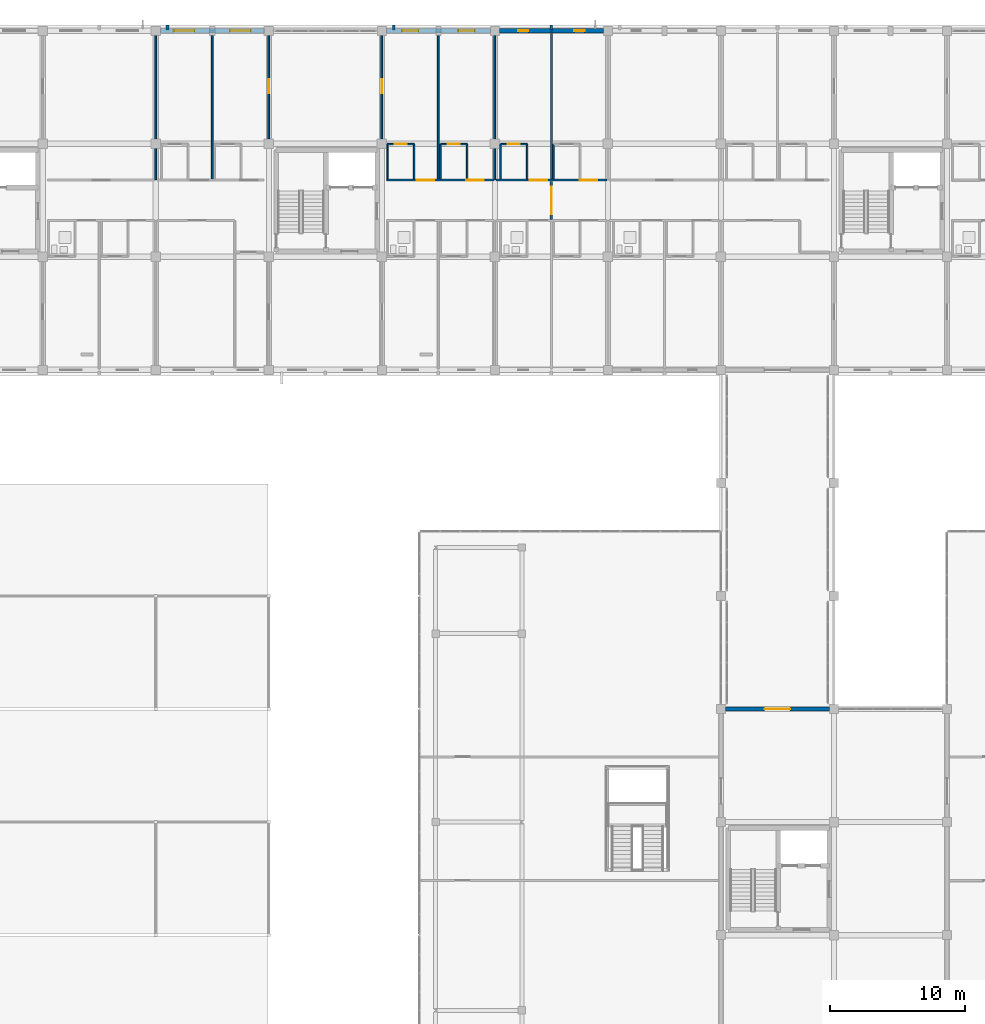
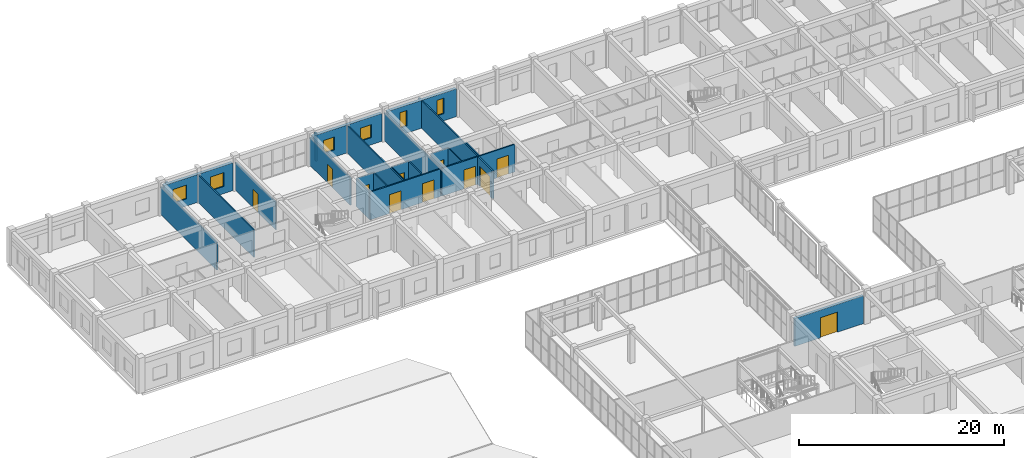
# One storey, part 118 of 140: 27 walls, 11 doors, 6 windows, 17 openings.
"""IFC4 building model written with IfcOpenShell, lengths in metres."""

from ifc_helpers import new_model, si_unit, direction, frame, frame_2d, origin, place, context, subcontext, project, spatial, rectangle, extrude, material, layer, layer_set, type_object, element, fill, save


model = new_model("IFC4")

# Units and contexts
model_context = context("Model", 3, precision=1e-05, world=origin(), true_north=direction((0.0, 1.0)))
body_context = subcontext(model_context, "Body", "Model", "MODEL_VIEW")
ifc_project = project(units=[si_unit("LENGTHUNIT", "METRE"), si_unit("AREAUNIT", "SQUARE_METRE"), si_unit("VOLUMEUNIT", "CUBIC_METRE"), si_unit("PLANEANGLEUNIT", "RADIAN"), si_unit("MASSUNIT", "GRAM", prefix="KILO")], contexts=[model_context])

# Site, building, storey
site_placement = place(None, origin())
site = spatial("IfcSite", under=ifc_project, at=site_placement, CompositionType="ELEMENT")
building_placement = place(site_placement, origin())
building = spatial("IfcBuilding", under=site, at=building_placement, Name="Trelvath General Hospital", CompositionType="ELEMENT")
storey_placement = place(building_placement, frame((0.0, 0.0, 16.199951171875)))
storey = spatial("IfcBuildingStorey", under=building, at=storey_placement, Name="L04", CompositionType="ELEMENT", Elevation=16.199951171875)

# Walls
ifc_material_1 = material(Name="Precast concrete C40/50", Category="concrete")
ifc_layer_1 = layer(ifc_material_1, 0.199951171875)
ifc_layer_set_1 = layer_set([ifc_layer_1], Name="Precast concrete C40/50")
wall_type_1 = type_object("IfcWallType", Name="BriseSoleilRib 200", PredefinedType="ELEMENTEDWALL", material=ifc_layer_set_1)
for number, where, z_axis, x_axis, name in (
    (1, (34.47607421875, 117.675048828125, 0.0), (0.0, 0.0, 1.0), (0.0, 1.0, 0.0), "Precast Concrete Brise-Soleil Rib Fin L04-319"),
    (2, (51.276123046875, 117.675048828125, 0.0), (0.0, 0.0, 1.0), (0.0, 1.0, 0.0), "Precast Concrete Brise-Soleil Rib Fin L04-325"),
    (3, (63.0, 117.675048828125, 0.0), (0.0, 0.0, 1.0), (0.0, 1.0, 0.0), "Precast Concrete Brise-Soleil Rib Fin L04-329"),
):
    element("IfcWall", number, at=place(storey_placement, frame(where, z_axis=z_axis, x_axis=x_axis)), inside=storey, type_object=wall_type_1, Name=name, PredefinedType="ELEMENTEDWALL", context=body_context, shape_type="SweptSolid", body=[
        extrude(rectangle(XDim=0.33984375, YDim=0.199951171875, at=frame_2d((0.169921875, 0.0))), origin(), (0.0, 0.0, 1.0), 3.300048828125),
    ])

# Wall, openings, doors
ifc_material_2 = material(Name="Gypsum acoustic steel-stud partition", Category="steel")
ifc_layer_2 = layer(ifc_material_2, 0.14990234375)
ifc_layer_set_2 = layer_set([ifc_layer_2], Name="Gypsum acoustic steel-stud partition")
wall_type_2 = type_object("IfcWallType", Name="ClinicalPartition 150", PredefinedType="PARTITIONING", material=ifc_layer_set_2)
wall_1_placement = place(storey_placement, frame((58.719970703125, 106.5, 0.0), z_axis=(0.0, 0.0, 1.0), x_axis=(-1.0, 0.0, 0.0)))
wall_1 = element("IfcWall", 4, at=wall_1_placement, inside=storey, type_object=wall_type_2, Name="Corridor Partition N L04-1583", PredefinedType="PARTITIONING", context=body_context, shape_type="SweptSolid", body=[
    extrude(rectangle(XDim=7.9599609375, YDim=0.14990234375, at=frame_2d((3.97998046875, 0.0))), origin(), (0.0, 0.0, 1.0), 3.300048828125),
])
opening_1_placement = place(wall_1_placement, frame((0.72998046875, 0.0, 0.0)))
opening_1 = element("IfcOpeningElement", 5, at=opening_1_placement, cuts=wall_1, Name="Opening D-4-1083", PredefinedType="OPENING", context=body_context, shape_type="SweptSolid", body=[
    extrude(rectangle(XDim=1.300048828125, YDim=2.25, at=frame_2d((0.64990234375, 1.125))), frame((0.0, 0.0849609375, 0.0), z_axis=(0.0, -1.0, 0.0), x_axis=(1.0, 0.0, 0.0)), (0.0, 0.0, 1.0), 0.169921875),
])
opening_2_placement = place(wall_1_placement, frame((4.429931640625, 0.0, 0.0)))
opening_2 = element("IfcOpeningElement", 6, at=opening_2_placement, cuts=wall_1, Name="Opening D-4-1084", PredefinedType="OPENING", context=body_context, shape_type="SweptSolid", body=[
    extrude(rectangle(XDim=1.300048828125, YDim=2.25, at=frame_2d((0.64990234375, 1.125))), frame((0.0, 0.0849609375, 0.0), z_axis=(0.0, -1.0, 0.0), x_axis=(1.0, 0.0, 0.0)), (0.0, 0.0, 1.0), 0.169921875),
])
ifc_material_3 = material(Name="Hospital bed-leaf timber door", Category="wood")
door_type_1 = type_object("IfcDoorType", Name="Door PatientBed 1300x2250", OperationType="NOTDEFINED", PredefinedType="DOOR", material=ifc_material_3)
door_1_placement = place(opening_1_placement, origin())
door_1 = element("IfcDoor", 7, at=door_1_placement, inside=storey, type_object=door_type_1, Name="Patient Room Door N L04-1083", OperationType="SINGLE_SWING_RIGHT", OverallHeight=2.25, OverallWidth=1.300048828125, PredefinedType="DOOR", context=body_context, shape_type="SweptSolid", body=[
    extrude(rectangle(XDim=1.300048828125, YDim=2.25, at=frame_2d((0.64990234375, 1.125))), frame((0.0, 0.02490234375, 0.0), z_axis=(0.0, -1.0, 0.0), x_axis=(1.0, 0.0, 0.0)), (0.0, 0.0, 1.0), 0.050048828125),
])
fill(opening_1, door_1)
door_2_placement = place(opening_2_placement, origin())
door_2 = element("IfcDoor", 8, at=door_2_placement, inside=storey, type_object=door_type_1, Name="Patient Room Door N L04-1084", OperationType="SINGLE_SWING_RIGHT", OverallHeight=2.25, OverallWidth=1.300048828125, PredefinedType="DOOR", context=body_context, shape_type="SweptSolid", body=[
    extrude(rectangle(XDim=1.300048828125, YDim=2.25, at=frame_2d((0.64990234375, 1.125))), frame((0.0, 0.02490234375, 0.0), z_axis=(0.0, -1.0, 0.0), x_axis=(1.0, 0.0, 0.0)), (0.0, 0.0, 1.0), 0.050048828125),
])
fill(opening_2, door_2)

wall_2_placement = place(storey_placement, frame((67.1201171875, 106.5, 0.0), z_axis=(0.0, 0.0, 1.0), x_axis=(-1.0, 0.0, 0.0)))
wall_2 = element("IfcWall", 9, at=wall_2_placement, inside=storey, type_object=wall_type_2, Name="Corridor Partition N L04-1601", PredefinedType="PARTITIONING", context=body_context, shape_type="SweptSolid", body=[
    extrude(rectangle(XDim=8.240234375, YDim=0.14990234375, at=frame_2d((4.1201171875, 0.0))), origin(), (0.0, 0.0, 1.0), 3.300048828125),
])
opening_3_placement = place(wall_2_placement, frame((0.72998046875, 0.0, 0.0)))
opening_3 = element("IfcOpeningElement", 10, at=opening_3_placement, cuts=wall_2, Name="Opening D-4-1091", PredefinedType="OPENING", context=body_context, shape_type="SweptSolid", body=[
    extrude(rectangle(XDim=1.300048828125, YDim=2.25, at=frame_2d((0.64990234375, 1.125))), frame((0.0, 0.0849609375, 0.0), z_axis=(0.0, -1.0, 0.0), x_axis=(1.0, 0.0, 0.0)), (0.0, 0.0, 1.0), 0.169921875),
])
opening_4_placement = place(wall_2_placement, frame((4.429931640625, 0.0, 0.0)))
opening_4 = element("IfcOpeningElement", 11, at=opening_4_placement, cuts=wall_2, Name="Opening D-4-1092", PredefinedType="OPENING", context=body_context, shape_type="SweptSolid", body=[
    extrude(rectangle(XDim=1.300048828125, YDim=2.25, at=frame_2d((0.64990234375, 1.125))), frame((0.0, 0.0849609375, 0.0), z_axis=(0.0, -1.0, 0.0), x_axis=(1.0, 0.0, 0.0)), (0.0, 0.0, 1.0), 0.169921875),
])
door_3_placement = place(opening_3_placement, origin())
door_3 = element("IfcDoor", 12, at=door_3_placement, inside=storey, type_object=door_type_1, Name="Patient Room Door N L04-1091", OperationType="SINGLE_SWING_LEFT", OverallHeight=2.25, OverallWidth=1.300048828125, PredefinedType="DOOR", context=body_context, shape_type="SweptSolid", body=[
    extrude(rectangle(XDim=1.300048828125, YDim=2.25, at=frame_2d((0.64990234375, 1.125))), frame((0.0, 0.02490234375, 0.0), z_axis=(0.0, -1.0, 0.0), x_axis=(1.0, 0.0, 0.0)), (0.0, 0.0, 1.0), 0.050048828125),
])
fill(opening_3, door_3)
door_4_placement = place(opening_4_placement, origin())
door_4 = element("IfcDoor", 13, at=door_4_placement, inside=storey, type_object=door_type_1, Name="Patient Room Door N L04-1092", OperationType="SINGLE_SWING_LEFT", OverallHeight=2.25, OverallWidth=1.300048828125, PredefinedType="DOOR", context=body_context, shape_type="SweptSolid", body=[
    extrude(rectangle(XDim=1.300048828125, YDim=2.25, at=frame_2d((0.64990234375, 1.125))), frame((0.0, 0.02490234375, 0.0), z_axis=(0.0, -1.0, 0.0), x_axis=(1.0, 0.0, 0.0)), (0.0, 0.0, 1.0), 0.050048828125),
])
fill(opening_4, door_4)

# Walls
ifc_material_4 = material(Name="Moisture-resistant tile partition")
ifc_layer_3 = layer(ifc_material_4, 0.110107421875)
ifc_layer_set_3 = layer_set([ifc_layer_3], Name="Moisture-resistant tile partition")
wall_type_3 = type_object("IfcWallType", Name="EnSuiteWetWall 110", PredefinedType="PARTITIONING", material=ifc_layer_set_3)
for number, where, z_axis, x_axis, name in (
    (14, (50.820068359375, 106.570068359375, 0.0), (0.0, 0.0, 1.0), (0.0, 1.0, 0.0), "En-Suite W Wall N L04-1585"),
    (15, (52.800048828125, 106.570068359375, 0.0), (0.0, 0.0, 1.0), (0.0, 1.0, 0.0), "En-Suite E Wall N L04-1586"),
):
    element("IfcWall", number, at=place(storey_placement, frame(where, z_axis=z_axis, x_axis=x_axis)), inside=storey, type_object=wall_type_3, Name=name, PredefinedType="PARTITIONING", context=body_context, shape_type="SweptSolid", body=[
        extrude(rectangle(XDim=2.60986328125, YDim=0.110107421875, at=frame_2d((1.304931640625, 0.0))), origin(), (0.0, 0.0, 1.0), 3.300048828125),
    ])

# Wall, opening, door
wall_3_placement = place(storey_placement, frame((50.820068359375, 109.179931640625, 0.0), z_axis=(0.0, 0.0, 1.0), x_axis=(1.0, 0.0, 0.0)))
wall_3 = element("IfcWall", 16, at=wall_3_placement, inside=storey, type_object=wall_type_3, Name="En-Suite Bathroom N Partition L04-1587", PredefinedType="PARTITIONING", context=body_context, shape_type="SweptSolid", body=[
    extrude(rectangle(XDim=1.97998046875, YDim=0.110107421875, at=frame_2d((0.989990234375, 0.0))), origin(), (0.0, 0.0, 1.0), 3.300048828125),
])
opening_5_placement = place(wall_3_placement, frame((0.5400390625, 0.0, 0.0)))
opening_5 = element("IfcOpeningElement", 17, at=opening_5_placement, cuts=wall_3, Name="Opening D-4-1085", PredefinedType="OPENING", context=body_context, shape_type="SweptSolid", body=[
    extrude(rectangle(XDim=0.89990234375, YDim=2.10009765625, at=frame_2d((0.449951171875, 1.050048828125))), frame((0.0, 0.06494140625, 0.0), z_axis=(0.0, -1.0, 0.0), x_axis=(1.0, 0.0, 0.0)), (0.0, 0.0, 1.0), 0.130126953125),
])
ifc_material_5 = material(Name="Moisture-sealed timber leaf", Category="wood")
door_type_2 = type_object("IfcDoorType", Name="Door EnSuite 900x2100", OperationType="NOTDEFINED", PredefinedType="DOOR", material=ifc_material_5)
door_5_placement = place(opening_5_placement, origin())
door_5 = element("IfcDoor", 18, at=door_5_placement, inside=storey, type_object=door_type_2, Name="En-Suite Bathroom N Door L04-1085", OperationType="SINGLE_SWING_LEFT", OverallHeight=2.10009765625, OverallWidth=0.89990234375, PredefinedType="DOOR", context=body_context, shape_type="SweptSolid", body=[
    extrude(rectangle(XDim=0.89990234375, YDim=2.10009765625, at=frame_2d((0.449951171875, 1.050048828125))), frame((0.0, 0.02490234375, 0.0), z_axis=(0.0, -1.0, 0.0), x_axis=(1.0, 0.0, 0.0)), (0.0, 0.0, 1.0), 0.050048828125),
])
fill(opening_5, door_5)

# Walls
for number, where, z_axis, x_axis, name in (
    (19, (54.760009765625, 106.570068359375, 0.0), (0.0, 0.0, 1.0), (0.0, 1.0, 0.0), "En-Suite W Wall N L04-1588"),
    (20, (56.739990234375, 106.570068359375, 0.0), (0.0, 0.0, 1.0), (0.0, 1.0, 0.0), "En-Suite E Wall N L04-1589"),
):
    element("IfcWall", number, at=place(storey_placement, frame(where, z_axis=z_axis, x_axis=x_axis)), inside=storey, type_object=wall_type_3, Name=name, PredefinedType="PARTITIONING", context=body_context, shape_type="SweptSolid", body=[
        extrude(rectangle(XDim=2.60986328125, YDim=0.110107421875, at=frame_2d((1.304931640625, 0.0))), origin(), (0.0, 0.0, 1.0), 3.300048828125),
    ])

# Wall, opening, door
wall_4_placement = place(storey_placement, frame((54.760009765625, 109.179931640625, 0.0), z_axis=(0.0, 0.0, 1.0), x_axis=(1.0, 0.0, 0.0)))
wall_4 = element("IfcWall", 21, at=wall_4_placement, inside=storey, type_object=wall_type_3, Name="En-Suite Bathroom N Partition L04-1590", PredefinedType="PARTITIONING", context=body_context, shape_type="SweptSolid", body=[
    extrude(rectangle(XDim=1.97998046875, YDim=0.110107421875, at=frame_2d((0.989990234375, 0.0))), origin(), (0.0, 0.0, 1.0), 3.300048828125),
])
opening_6_placement = place(wall_4_placement, frame((0.5400390625, 0.0, 0.0)))
opening_6 = element("IfcOpeningElement", 22, at=opening_6_placement, cuts=wall_4, Name="Opening D-4-1086", PredefinedType="OPENING", context=body_context, shape_type="SweptSolid", body=[
    extrude(rectangle(XDim=0.89990234375, YDim=2.10009765625, at=frame_2d((0.449951171875, 1.050048828125))), frame((0.0, 0.06494140625, 0.0), z_axis=(0.0, -1.0, 0.0), x_axis=(1.0, 0.0, 0.0)), (0.0, 0.0, 1.0), 0.130126953125),
])
door_6_placement = place(opening_6_placement, origin())
door_6 = element("IfcDoor", 23, at=door_6_placement, inside=storey, type_object=door_type_2, Name="En-Suite Bathroom N Door L04-1086", OperationType="SINGLE_SWING_RIGHT", OverallHeight=2.10009765625, OverallWidth=0.89990234375, PredefinedType="DOOR", context=body_context, shape_type="SweptSolid", body=[
    extrude(rectangle(XDim=0.89990234375, YDim=2.10009765625, at=frame_2d((0.449951171875, 1.050048828125))), frame((0.0, 0.02490234375, 0.0), z_axis=(0.0, -1.0, 0.0), x_axis=(1.0, 0.0, 0.0)), (0.0, 0.0, 1.0), 0.050048828125),
])
fill(opening_6, door_6)

# Walls
for number, where, z_axis, x_axis, name in (
    (24, (59.219970703125, 106.570068359375, 0.0), (0.0, 0.0, 1.0), (0.0, 1.0, 0.0), "En-Suite W Wall N L04-1603"),
    (25, (61.199951171875, 106.570068359375, 0.0), (0.0, 0.0, 1.0), (0.0, 1.0, 0.0), "En-Suite E Wall N L04-1604"),
):
    element("IfcWall", number, at=place(storey_placement, frame(where, z_axis=z_axis, x_axis=x_axis)), inside=storey, type_object=wall_type_3, Name=name, PredefinedType="PARTITIONING", context=body_context, shape_type="SweptSolid", body=[
        extrude(rectangle(XDim=2.60986328125, YDim=0.110107421875, at=frame_2d((1.304931640625, 0.0))), origin(), (0.0, 0.0, 1.0), 3.300048828125),
    ])

# Wall, opening, door
wall_5_placement = place(storey_placement, frame((59.219970703125, 109.179931640625, 0.0), z_axis=(0.0, 0.0, 1.0), x_axis=(1.0, 0.0, 0.0)))
wall_5 = element("IfcWall", 26, at=wall_5_placement, inside=storey, type_object=wall_type_3, Name="En-Suite Bathroom N Partition L04-1605", PredefinedType="PARTITIONING", context=body_context, shape_type="SweptSolid", body=[
    extrude(rectangle(XDim=1.97998046875, YDim=0.110107421875, at=frame_2d((0.989990234375, 0.0))), origin(), (0.0, 0.0, 1.0), 3.300048828125),
])
opening_7_placement = place(wall_5_placement, frame((0.5400390625, 0.0, 0.0)))
opening_7 = element("IfcOpeningElement", 27, at=opening_7_placement, cuts=wall_5, Name="Opening D-4-1093", PredefinedType="OPENING", context=body_context, shape_type="SweptSolid", body=[
    extrude(rectangle(XDim=0.89990234375, YDim=2.10009765625, at=frame_2d((0.449951171875, 1.050048828125))), frame((0.0, 0.06494140625, 0.0), z_axis=(0.0, -1.0, 0.0), x_axis=(1.0, 0.0, 0.0)), (0.0, 0.0, 1.0), 0.130126953125),
])
door_7_placement = place(opening_7_placement, origin())
door_7 = element("IfcDoor", 28, at=door_7_placement, inside=storey, type_object=door_type_2, Name="En-Suite Bathroom N Door L04-1093", OperationType="SINGLE_SWING_RIGHT", OverallHeight=2.10009765625, OverallWidth=0.89990234375, PredefinedType="DOOR", context=body_context, shape_type="SweptSolid", body=[
    extrude(rectangle(XDim=0.89990234375, YDim=2.10009765625, at=frame_2d((0.449951171875, 1.050048828125))), frame((0.0, 0.02490234375, 0.0), z_axis=(0.0, -1.0, 0.0), x_axis=(1.0, 0.0, 0.0)), (0.0, 0.0, 1.0), 0.050048828125),
])
fill(opening_7, door_7)

# Wall
wall_6_placement = place(storey_placement, frame((63.159912109375, 106.570068359375, 0.0), z_axis=(0.0, 0.0, 1.0), x_axis=(0.0, 1.0, 0.0)))
element("IfcWall", 29, at=wall_6_placement, inside=storey, type_object=wall_type_3, Name="En-Suite W Wall N L04-1606", PredefinedType="PARTITIONING", context=body_context, shape_type="SweptSolid", body=[
    extrude(rectangle(XDim=2.60986328125, YDim=0.110107421875, at=frame_2d((1.304931640625, 0.0))), origin(), (0.0, 0.0, 1.0), 3.300048828125),
])

# Wall, opening, door
ifc_material_6 = material(Name="Concrete C35/45", Category="concrete")
ifc_layer_4 = layer(ifc_material_6, 0.2900390625)
ifc_layer_set_4 = layer_set([ifc_layer_4], Name="Concrete C35/45")
wall_type_4 = type_object("IfcWallType", Name="ExtBushHammeredWall 290", PredefinedType="SOLIDWALL", material=ifc_layer_set_4)
wall_7_placement = place(storey_placement, frame((75.93505859375, 67.199951171875, 0.0), z_axis=(0.0, 0.0, 1.0), x_axis=(1.0, 0.0, 0.0)))
wall_7 = element("IfcWall", 30, at=wall_7_placement, inside=storey, type_object=wall_type_4, Name="Bridge Portal Wall BRG-N-C L04", PredefinedType="SOLIDWALL", context=body_context, shape_type="SweptSolid", body=[
    extrude(rectangle(XDim=7.72998046875, YDim=0.2900390625, at=frame_2d((3.864990234375, 0.0))), origin(), (0.0, 0.0, 1.0), 3.320068359375),
])
opening_8_placement = place(wall_7_placement, frame((2.9150390625, 0.0, 0.0)))
opening_8 = element("IfcOpeningElement", 31, at=opening_8_placement, cuts=wall_7, Name="Opening BP-4-058", PredefinedType="OPENING", context=body_context, shape_type="SweptSolid", body=[
    extrude(rectangle(XDim=1.89990234375, YDim=2.39990234375, at=frame_2d((0.949951171875, 1.199951171875))), frame((0.0, 0.155029296875, 0.0), z_axis=(0.0, -1.0, 0.0), x_axis=(1.0, 0.0, 0.0)), (0.0, 0.0, 1.0), 0.31005859375),
])
ifc_material_7 = material(Name="Thermally broken glazed aluminium pair", Category="aluminium")
door_type_3 = type_object("IfcDoorType", Name="Door BridgeEntry 1900x2400", OperationType="DOUBLE_SWING_LEFT", PredefinedType="DOOR", material=ifc_material_7)
door_8_placement = place(opening_8_placement, origin())
door_8 = element("IfcDoor", 32, at=door_8_placement, inside=storey, type_object=door_type_3, Name="Glazed Bridge Portal Door BRG-N-C L04", OperationType="DOUBLE_SWING_LEFT", OverallHeight=2.39990234375, OverallWidth=1.89990234375, PredefinedType="DOOR", context=body_context, shape_type="SweptSolid", body=[
    extrude(rectangle(XDim=1.89990234375, YDim=2.39990234375, at=frame_2d((0.949951171875, 1.199951171875))), frame((0.0, 0.02490234375, 0.0), z_axis=(0.0, -1.0, 0.0), x_axis=(1.0, 0.0, 0.0)), (0.0, 0.0, 1.0), 0.050048828125),
])
fill(opening_8, door_8)

# Wall, openings, windows
ifc_material_8 = material(Name="Concrete C35/45", Category="concrete")
ifc_layer_5 = layer(ifc_material_8, 0.320068359375)
ifc_layer_set_5 = layer_set([ifc_layer_5], Name="Concrete C35/45")
wall_type_5 = type_object("IfcWallType", Name="ExtThermalWall 320", PredefinedType="SOLIDWALL", material=ifc_layer_set_5)
wall_8_placement = place(storey_placement, frame((33.93505859375, 117.60009765625, 0.0), z_axis=(0.0, 0.0, 1.0), x_axis=(1.0, 0.0, 0.0)))
wall_8 = element("IfcWall", 33, at=wall_8_placement, inside=storey, type_object=wall_type_5, Name="Exterior Concrete Wall L04-437", PredefinedType="SOLIDWALL", context=body_context, shape_type="SweptSolid", body=[
    extrude(rectangle(XDim=7.72998046875, YDim=0.320068359375, at=frame_2d((3.864990234375, 0.0))), origin(), (0.0, 0.0, 1.0), 3.320068359375),
])
opening_9_placement = place(wall_8_placement, frame((1.017822265625, 0.0, 0.85009765625)))
opening_9 = element("IfcOpeningElement", 34, at=opening_9_placement, cuts=wall_8, Name="Opening WN-4-723", PredefinedType="OPENING", context=body_context, shape_type="SweptSolid", body=[
    extrude(rectangle(XDim=1.52001953125, YDim=1.64990234375, at=frame_2d((0.760009765625, 0.824951171875))), frame((0.0, 0.169921875, 0.0), z_axis=(0.0, -1.0, 0.0), x_axis=(1.0, 0.0, 0.0)), (0.0, 0.0, 1.0), 0.340087890625),
])
opening_10_placement = place(wall_8_placement, frame((5.192138671875, 0.0, 0.85009765625)))
opening_10 = element("IfcOpeningElement", 35, at=opening_10_placement, cuts=wall_8, Name="Opening WN-4-724", PredefinedType="OPENING", context=body_context, shape_type="SweptSolid", body=[
    extrude(rectangle(XDim=1.52001953125, YDim=1.64990234375, at=frame_2d((0.760009765625, 0.824951171875))), frame((0.0, 0.169921875, 0.0), z_axis=(0.0, -1.0, 0.0), x_axis=(1.0, 0.0, 0.0)), (0.0, 0.0, 1.0), 0.340087890625),
])
ifc_material_9 = material(Name="Low-E laminated glass", Category="glass")
window_type_1 = type_object("IfcWindowType", Name="Window WardNorth 1520x1650", PartitioningType="DOUBLE_PANEL_VERTICAL", PredefinedType="WINDOW", material=ifc_material_9)
window_1_placement = place(opening_9_placement, origin())
window_1 = element("IfcWindow", 36, at=window_1_placement, inside=storey, type_object=window_type_1, Name="Solar Reveal Window L04-723", OverallHeight=1.64990234375, OverallWidth=1.52001953125, PartitioningType="SINGLE_PANEL", PredefinedType="WINDOW", context=body_context, shape_type="SweptSolid", body=[
    extrude(rectangle(XDim=1.52001953125, YDim=1.64990234375, at=frame_2d((0.760009765625, 0.824951171875))), frame((0.0, 0.030029296875, 0.0), z_axis=(0.0, -1.0, 0.0), x_axis=(1.0, 0.0, 0.0)), (0.0, 0.0, 1.0), 0.06005859375),
])
fill(opening_9, window_1)
window_2_placement = place(opening_10_placement, origin())
window_2 = element("IfcWindow", 37, at=window_2_placement, inside=storey, type_object=window_type_1, Name="Solar Reveal Window L04-724", OverallHeight=1.64990234375, OverallWidth=1.52001953125, PartitioningType="SINGLE_PANEL", PredefinedType="WINDOW", context=body_context, shape_type="SweptSolid", body=[
    extrude(rectangle(XDim=1.52001953125, YDim=1.64990234375, at=frame_2d((0.760009765625, 0.824951171875))), frame((0.0, 0.030029296875, 0.0), z_axis=(0.0, -1.0, 0.0), x_axis=(1.0, 0.0, 0.0)), (0.0, 0.0, 1.0), 0.06005859375),
])
fill(opening_10, window_2)

wall_9_placement = place(storey_placement, frame((50.735107421875, 117.60009765625, 0.0), z_axis=(0.0, 0.0, 1.0), x_axis=(1.0, 0.0, 0.0)))
wall_9 = element("IfcWall", 38, at=wall_9_placement, inside=storey, type_object=wall_type_5, Name="Exterior Concrete Wall L04-443", PredefinedType="SOLIDWALL", context=body_context, shape_type="SweptSolid", body=[
    extrude(rectangle(XDim=7.72998046875, YDim=0.320068359375, at=frame_2d((3.864990234375, 0.0))), origin(), (0.0, 0.0, 1.0), 3.320068359375),
])
opening_11_placement = place(wall_9_placement, frame((1.177978515625, 0.0, 0.85009765625)))
opening_11 = element("IfcOpeningElement", 39, at=opening_11_placement, cuts=wall_9, Name="Opening WN-4-735", PredefinedType="OPENING", context=body_context, shape_type="SweptSolid", body=[
    extrude(rectangle(XDim=1.199951171875, YDim=1.550048828125, at=frame_2d((0.60009765625, 0.77490234375))), frame((0.0, 0.169921875, 0.0), z_axis=(0.0, -1.0, 0.0), x_axis=(1.0, 0.0, 0.0)), (0.0, 0.0, 1.0), 0.340087890625),
])
opening_12_placement = place(wall_9_placement, frame((5.35205078125, 0.0, 0.85009765625)))
opening_12 = element("IfcOpeningElement", 40, at=opening_12_placement, cuts=wall_9, Name="Opening WN-4-736", PredefinedType="OPENING", context=body_context, shape_type="SweptSolid", body=[
    extrude(rectangle(XDim=1.199951171875, YDim=1.550048828125, at=frame_2d((0.60009765625, 0.77490234375))), frame((0.0, 0.169921875, 0.0), z_axis=(0.0, -1.0, 0.0), x_axis=(1.0, 0.0, 0.0)), (0.0, 0.0, 1.0), 0.340087890625),
])
ifc_material_10 = material(Name="Low-E laminated glass", Category="glass")
window_type_2 = type_object("IfcWindowType", Name="Window WardSouth 1200x1550", PartitioningType="SINGLE_PANEL", PredefinedType="WINDOW", material=ifc_material_10)
window_3_placement = place(opening_11_placement, origin())
window_3 = element("IfcWindow", 41, at=window_3_placement, inside=storey, type_object=window_type_2, Name="Solar Reveal Window L04-735", OverallHeight=1.550048828125, OverallWidth=1.199951171875, PartitioningType="SINGLE_PANEL", PredefinedType="WINDOW", context=body_context, shape_type="SweptSolid", body=[
    extrude(rectangle(XDim=1.199951171875, YDim=1.550048828125, at=frame_2d((0.60009765625, 0.77490234375))), frame((0.0, 0.030029296875, 0.0), z_axis=(0.0, -1.0, 0.0), x_axis=(1.0, 0.0, 0.0)), (0.0, 0.0, 1.0), 0.06005859375),
])
fill(opening_11, window_3)
window_4_placement = place(opening_12_placement, origin())
window_4 = element("IfcWindow", 42, at=window_4_placement, inside=storey, type_object=window_type_2, Name="Solar Reveal Window L04-736", OverallHeight=1.550048828125, OverallWidth=1.199951171875, PartitioningType="SINGLE_PANEL", PredefinedType="WINDOW", context=body_context, shape_type="SweptSolid", body=[
    extrude(rectangle(XDim=1.199951171875, YDim=1.550048828125, at=frame_2d((0.60009765625, 0.77490234375))), frame((0.0, 0.030029296875, 0.0), z_axis=(0.0, -1.0, 0.0), x_axis=(1.0, 0.0, 0.0)), (0.0, 0.0, 1.0), 0.06005859375),
])
fill(opening_12, window_4)

wall_10_placement = place(storey_placement, frame((59.135009765625, 117.60009765625, 0.0), z_axis=(0.0, 0.0, 1.0), x_axis=(1.0, 0.0, 0.0)))
wall_10 = element("IfcWall", 43, at=wall_10_placement, inside=storey, type_object=wall_type_5, Name="Exterior Concrete Wall L04-447", PredefinedType="SOLIDWALL", context=body_context, shape_type="SweptSolid", body=[
    extrude(rectangle(XDim=7.72998046875, YDim=0.320068359375, at=frame_2d((3.864990234375, 0.0))), origin(), (0.0, 0.0, 1.0), 3.320068359375),
])
opening_13_placement = place(wall_10_placement, frame((1.40283203125, 0.0, 0.85009765625)))
opening_13 = element("IfcOpeningElement", 44, at=opening_13_placement, cuts=wall_10, Name="Opening WN-4-743", PredefinedType="OPENING", context=body_context, shape_type="SweptSolid", body=[
    extrude(rectangle(XDim=0.75, YDim=1.85009765625, at=frame_2d((0.375, 0.925048828125))), frame((0.0, 0.169921875, 0.0), z_axis=(0.0, -1.0, 0.0), x_axis=(1.0, 0.0, 0.0)), (0.0, 0.0, 1.0), 0.340087890625),
])
opening_14_placement = place(wall_10_placement, frame((5.5771484375, 0.0, 0.85009765625)))
opening_14 = element("IfcOpeningElement", 45, at=opening_14_placement, cuts=wall_10, Name="Opening WN-4-744", PredefinedType="OPENING", context=body_context, shape_type="SweptSolid", body=[
    extrude(rectangle(XDim=0.75, YDim=1.85009765625, at=frame_2d((0.375, 0.925048828125))), frame((0.0, 0.169921875, 0.0), z_axis=(0.0, -1.0, 0.0), x_axis=(1.0, 0.0, 0.0)), (0.0, 0.0, 1.0), 0.340087890625),
])
ifc_material_11 = material(Name="Low-E laminated glass", Category="glass")
window_type_3 = type_object("IfcWindowType", Name="Window SunSlot 750x1850", PartitioningType="SINGLE_PANEL", PredefinedType="WINDOW", material=ifc_material_11)
window_5_placement = place(opening_13_placement, origin())
window_5 = element("IfcWindow", 46, at=window_5_placement, inside=storey, type_object=window_type_3, Name="Solar Reveal Window L04-743", OverallHeight=1.85009765625, OverallWidth=0.75, PartitioningType="SINGLE_PANEL", PredefinedType="WINDOW", context=body_context, shape_type="SweptSolid", body=[
    extrude(rectangle(XDim=0.75, YDim=1.85009765625, at=frame_2d((0.375, 0.925048828125))), frame((0.0, 0.030029296875, 0.0), z_axis=(0.0, -1.0, 0.0), x_axis=(1.0, 0.0, 0.0)), (0.0, 0.0, 1.0), 0.06005859375),
])
fill(opening_13, window_5)
window_6_placement = place(opening_14_placement, origin())
window_6 = element("IfcWindow", 47, at=window_6_placement, inside=storey, type_object=window_type_3, Name="Solar Reveal Window L04-744", OverallHeight=1.85009765625, OverallWidth=0.75, PartitioningType="SINGLE_PANEL", PredefinedType="WINDOW", context=body_context, shape_type="SweptSolid", body=[
    extrude(rectangle(XDim=0.75, YDim=1.85009765625, at=frame_2d((0.375, 0.925048828125))), frame((0.0, 0.030029296875, 0.0), z_axis=(0.0, -1.0, 0.0), x_axis=(1.0, 0.0, 0.0)), (0.0, 0.0, 1.0), 0.06005859375),
])
fill(opening_14, window_6)

# Wall, opening, door
ifc_material_12 = material(Name="Masonry fire blockwork", Category="masonry")
ifc_layer_6 = layer(ifc_material_12, 0.179931640625)
ifc_layer_set_6 = layer_set([ifc_layer_6], Name="Masonry fire blockwork")
wall_type_6 = type_object("IfcWallType", Name="SmokeBarrierWall 180", PredefinedType="PARTITIONING", material=ifc_layer_set_6)
wall_11_placement = place(storey_placement, frame((63.0, 103.580078125, 0.0), z_axis=(0.0, 0.0, 1.0), x_axis=(0.0, 1.0, 0.0)))
wall_11 = element("IfcWall", 48, at=wall_11_placement, inside=storey, type_object=wall_type_6, Name="Smoke Compartment Barrier L04-1609", PredefinedType="PARTITIONING", context=body_context, shape_type="SweptSolid", body=[
    extrude(rectangle(XDim=2.83984375, YDim=0.179931640625, at=frame_2d((1.419921875, 0.0))), origin(), (0.0, 0.0, 1.0), 3.300048828125),
])
opening_15_placement = place(wall_11_placement, frame((0.39501953125, 0.0, 0.0)))
opening_15 = element("IfcOpeningElement", 49, at=opening_15_placement, cuts=wall_11, Name="Opening SD-4-1095", PredefinedType="OPENING", context=body_context, shape_type="SweptSolid", body=[
    extrude(rectangle(XDim=2.050048828125, YDim=2.35009765625, at=frame_2d((1.02490234375, 1.175048828125))), frame((0.0, 0.099853515625, 0.0), z_axis=(0.0, -1.0, 0.0), x_axis=(1.0, 0.0, 0.0)), (0.0, 0.0, 1.0), 0.199951171875),
])
ifc_material_13 = material(Name="Fire-rated steel cross-corridor pair", Category="steel")
door_type_4 = type_object("IfcDoorType", Name="Door SmokeCross 2050x2350", OperationType="DOUBLE_SWING_LEFT", PredefinedType="DOOR", material=ifc_material_13)
door_9_placement = place(opening_15_placement, origin())
door_9 = element("IfcDoor", 50, at=door_9_placement, inside=storey, type_object=door_type_4, Name="Cross-Corridor Smoke Door L04-1095", OperationType="SLIDING_TO_LEFT", OverallHeight=2.35009765625, OverallWidth=2.050048828125, PredefinedType="DOOR", context=body_context, shape_type="SweptSolid", body=[
    extrude(rectangle(XDim=2.050048828125, YDim=2.35009765625, at=frame_2d((1.02490234375, 1.175048828125))), frame((0.0, 0.02490234375, 0.0), z_axis=(0.0, -1.0, 0.0), x_axis=(1.0, 0.0, 0.0)), (0.0, 0.0, 1.0), 0.050048828125),
])
fill(opening_15, door_9)

# Walls
ifc_material_14 = material(Name="Gypsum acoustic steel-stud partition", Category="steel")
ifc_layer_7 = layer(ifc_material_14, 0.1298828125)
ifc_layer_set_7 = layer_set([ifc_layer_7], Name="Gypsum acoustic steel-stud partition")
wall_type_7 = type_object("IfcWallType", Name="WardPartition 130", PredefinedType="PARTITIONING", material=ifc_layer_set_7)
wall_12_placement = place(storey_placement, frame((33.60009765625, 106.52001953125, 0.0), z_axis=(0.0, 0.0, 1.0), x_axis=(0.0, 1.0, 0.0)))
element("IfcWall", 51, at=wall_12_placement, inside=storey, type_object=wall_type_7, Name="Inter-Bay Ward Partition N L04-1558", PredefinedType="PARTITIONING", context=body_context, shape_type="SweptSolid", body=[
    extrude(rectangle(XDim=10.93994140625, YDim=0.1298828125, at=frame_2d((5.469970703125, 0.0))), origin(), (0.0, 0.0, 1.0), 3.300048828125),
])
wall_13_placement = place(storey_placement, frame((37.800048828125, 106.570068359375, 0.0), z_axis=(0.0, 0.0, 1.0), x_axis=(0.0, 1.0, 0.0)))
element("IfcWall", 52, at=wall_13_placement, inside=storey, type_object=wall_type_7, Name="Room Dividing Partition N L04-1563", PredefinedType="PARTITIONING", context=body_context, shape_type="SweptSolid", body=[
    extrude(rectangle(XDim=10.929931640625, YDim=0.1298828125, at=frame_2d((5.46484375, 0.0))), origin(), (0.0, 0.0, 1.0), 3.300048828125),
])

# Wall, opening, door
wall_14_placement = place(storey_placement, frame((42.0, 109.550048828125, 0.0), z_axis=(0.0, 0.0, 1.0), x_axis=(0.0, 1.0, 0.0)))
wall_14 = element("IfcWall", 53, at=wall_14_placement, inside=storey, type_object=wall_type_7, Name="Inter-Bay Ward Partition N L04-1571", PredefinedType="PARTITIONING", context=body_context, shape_type="SweptSolid", body=[
    extrude(rectangle(XDim=7.909912109375, YDim=0.1298828125, at=frame_2d((3.955078125, 0.0))), origin(), (0.0, 0.0, 1.0), 3.300048828125),
])
opening_16_placement = place(wall_14_placement, frame((3.39990234375, 0.0, 0.0)))
opening_16 = element("IfcOpeningElement", 54, at=opening_16_placement, cuts=wall_14, Name="Opening D-4-1076", PredefinedType="OPENING", context=body_context, shape_type="SweptSolid", body=[
    extrude(rectangle(XDim=1.050048828125, YDim=2.199951171875, at=frame_2d((0.52490234375, 1.10009765625))), frame((0.0, 0.074951171875, 0.0), z_axis=(0.0, -1.0, 0.0), x_axis=(1.0, 0.0, 0.0)), (0.0, 0.0, 1.0), 0.14990234375),
])
ifc_material_15 = material(Name="Acoustic hospital timber leaf", Category="wood")
door_type_5 = type_object("IfcDoorType", Name="Door Consult 1050x2200", OperationType="NOTDEFINED", PredefinedType="DOOR", material=ifc_material_15)
door_10_placement = place(opening_16_placement, origin())
door_10 = element("IfcDoor", 55, at=door_10_placement, inside=storey, type_object=door_type_5, Name="Consultation Connecting Door L04-1076", OperationType="SINGLE_SWING_LEFT", OverallHeight=2.199951171875, OverallWidth=1.050048828125, PredefinedType="DOOR", context=body_context, shape_type="SweptSolid", body=[
    extrude(rectangle(XDim=1.050048828125, YDim=2.199951171875, at=frame_2d((0.52490234375, 1.10009765625))), frame((0.0, 0.02490234375, 0.0), z_axis=(0.0, -1.0, 0.0), x_axis=(1.0, 0.0, 0.0)), (0.0, 0.0, 1.0), 0.050048828125),
])
fill(opening_16, door_10)

wall_15_placement = place(storey_placement, frame((50.39990234375, 109.550048828125, 0.0), z_axis=(0.0, 0.0, 1.0), x_axis=(0.0, 1.0, 0.0)))
wall_15 = element("IfcWall", 56, at=wall_15_placement, inside=storey, type_object=wall_type_7, Name="Inter-Bay Ward Partition N L04-1573", PredefinedType="PARTITIONING", context=body_context, shape_type="SweptSolid", body=[
    extrude(rectangle(XDim=7.909912109375, YDim=0.1298828125, at=frame_2d((3.955078125, 0.0))), origin(), (0.0, 0.0, 1.0), 3.300048828125),
])
opening_17_placement = place(wall_15_placement, frame((3.39990234375, 0.0, 0.0)))
opening_17 = element("IfcOpeningElement", 57, at=opening_17_placement, cuts=wall_15, Name="Opening D-4-1078", PredefinedType="OPENING", context=body_context, shape_type="SweptSolid", body=[
    extrude(rectangle(XDim=1.050048828125, YDim=2.199951171875, at=frame_2d((0.52490234375, 1.10009765625))), frame((0.0, 0.074951171875, 0.0), z_axis=(0.0, -1.0, 0.0), x_axis=(1.0, 0.0, 0.0)), (0.0, 0.0, 1.0), 0.14990234375),
])
door_11_placement = place(opening_17_placement, origin())
door_11 = element("IfcDoor", 58, at=door_11_placement, inside=storey, type_object=door_type_5, Name="Consultation Connecting Door L04-1078", OperationType="SINGLE_SWING_LEFT", OverallHeight=2.199951171875, OverallWidth=1.050048828125, PredefinedType="DOOR", context=body_context, shape_type="SweptSolid", body=[
    extrude(rectangle(XDim=1.050048828125, YDim=2.199951171875, at=frame_2d((0.52490234375, 1.10009765625))), frame((0.0, 0.02490234375, 0.0), z_axis=(0.0, -1.0, 0.0), x_axis=(1.0, 0.0, 0.0)), (0.0, 0.0, 1.0), 0.050048828125),
])
fill(opening_17, door_11)

# Walls
wall_16_placement = place(storey_placement, frame((54.60009765625, 106.570068359375, 0.0), z_axis=(0.0, 0.0, 1.0), x_axis=(0.0, 1.0, 0.0)))
element("IfcWall", 59, at=wall_16_placement, inside=storey, type_object=wall_type_7, Name="Room Dividing Partition N L04-1584", PredefinedType="PARTITIONING", context=body_context, shape_type="SweptSolid", body=[
    extrude(rectangle(XDim=10.929931640625, YDim=0.1298828125, at=frame_2d((5.46484375, 0.0))), origin(), (0.0, 0.0, 1.0), 3.300048828125),
])
wall_17_placement = place(storey_placement, frame((58.800048828125, 106.52001953125, 0.0), z_axis=(0.0, 0.0, 1.0), x_axis=(0.0, 1.0, 0.0)))
element("IfcWall", 60, at=wall_17_placement, inside=storey, type_object=wall_type_7, Name="Inter-Bay Ward Partition N L04-1592", PredefinedType="PARTITIONING", context=body_context, shape_type="SweptSolid", body=[
    extrude(rectangle(XDim=10.93994140625, YDim=0.1298828125, at=frame_2d((5.469970703125, 0.0))), origin(), (0.0, 0.0, 1.0), 3.300048828125),
])
wall_18_placement = place(storey_placement, frame((63.0, 106.570068359375, 0.0), z_axis=(0.0, 0.0, 1.0), x_axis=(0.0, 1.0, 0.0)))
element("IfcWall", 61, at=wall_18_placement, inside=storey, type_object=wall_type_7, Name="Room Dividing Partition N L04-1602", PredefinedType="PARTITIONING", context=body_context, shape_type="SweptSolid", body=[
    extrude(rectangle(XDim=10.929931640625, YDim=0.1298828125, at=frame_2d((5.46484375, 0.0))), origin(), (0.0, 0.0, 1.0), 3.300048828125),
])

save(model, "model.ifc")
